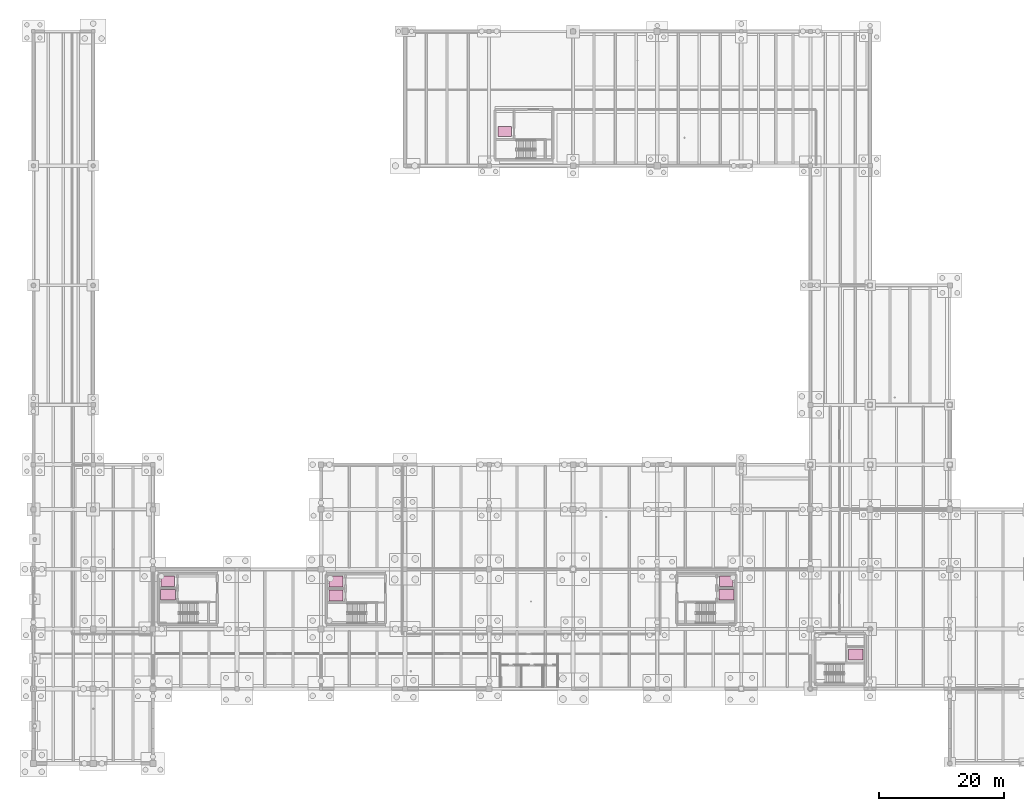
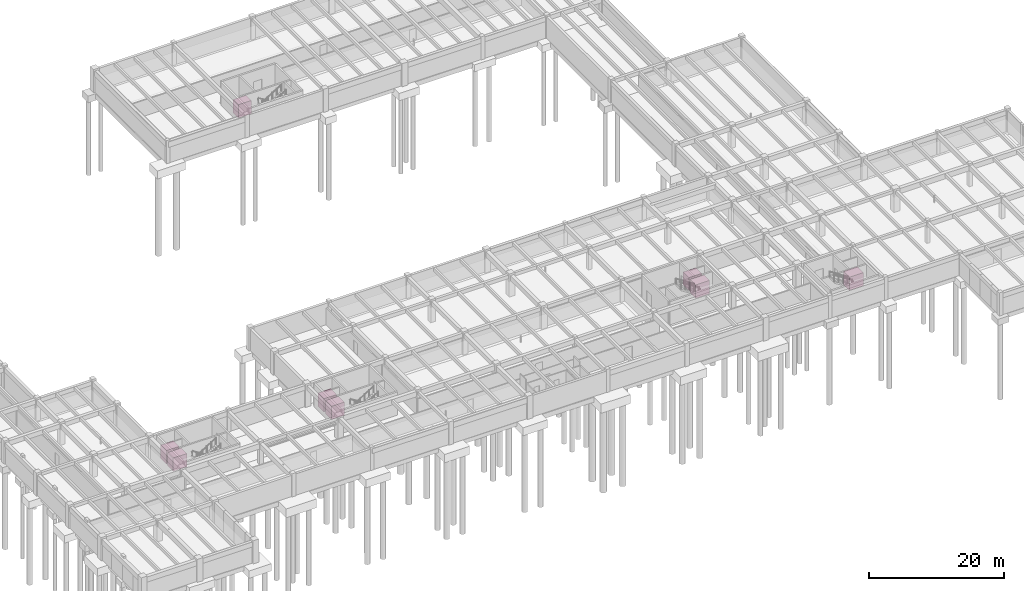
# One storey, part 41 of 41: 8 transport elements.
"""IFC4 building model written with IfcOpenShell, lengths in metres."""

from ifc_helpers import new_model, si_unit, direction, frame, origin, origin_2d, place, context, subcontext, project, spatial, rectangle, extrude, material, type_object, element, save


model = new_model("IFC4")

# Units and contexts
model_context = context("Model", 3, precision=1e-05, world=origin(), true_north=direction((0.0, 1.0)))
body_context = subcontext(model_context, "Body", "Model", "MODEL_VIEW")
ifc_project = project(units=[si_unit("LENGTHUNIT", "METRE"), si_unit("AREAUNIT", "SQUARE_METRE"), si_unit("VOLUMEUNIT", "CUBIC_METRE"), si_unit("PLANEANGLEUNIT", "RADIAN"), si_unit("MASSUNIT", "GRAM", prefix="KILO")], contexts=[model_context])

# Site, building, storey
site_placement = place(None, origin())
site = spatial("IfcSite", under=ifc_project, at=site_placement, CompositionType="ELEMENT")
building_placement = place(site_placement, origin())
building = spatial("IfcBuilding", under=site, at=building_placement, Name="Fikremerkos Civic Library", CompositionType="ELEMENT")
storey_placement = place(building_placement, frame((0.0, 0.0, -8.39990234375)))
storey = spatial("IfcBuildingStorey", under=building, at=storey_placement, Name="B02", CompositionType="ELEMENT", Elevation=-8.39990234375)

# Transport elements
ifc_material = material(Name="Brushed stainless steel", Category="steel")
transport_element_type_1 = type_object("IfcTransportElementType", Name="Atrium passenger lift car LFT-PAX2", PredefinedType="ELEVATOR", material=ifc_material)
for number, where, z_axis, x_axis, name in (
    (1, (48.60009765625, 26.97998046875, 0.0), (0.0, 0.0, 1.0), (1.0, 0.0, 0.0), "Public atrium passenger lift LF05"),
    (2, (48.60009765625, 29.25, 0.0), (0.0, 0.0, 1.0), (1.0, 0.0, 0.0), "Public atrium passenger lift LF06"),
):
    element("IfcTransportElement", number, at=place(storey_placement, frame(where, z_axis=z_axis, x_axis=x_axis)), inside=storey, type_object=transport_element_type_1, Name=name, PredefinedType="ELEVATOR", context=body_context, shape_type="SweptSolid", body=[
        extrude(rectangle(XDim=2.199951171875, YDim=1.75, at=origin_2d()), origin(), (0.0, 0.0, 1.0), 2.39990234375),
    ])
transport_element_type_2 = type_object("IfcTransportElementType", Name="Auditorium passenger lift car LFT-SRV", PredefinedType="ELEVATOR", material=ifc_material)
transport_element_1_placement = place(storey_placement, frame((132.10009765625, 17.47998046875, 0.0), z_axis=(0.0, 0.0, 1.0), x_axis=(1.0, 0.0, 0.0)))
element("IfcTransportElement", 3, at=transport_element_1_placement, inside=storey, type_object=transport_element_type_2, Name="Auditorium and exhibition lift LF07", PredefinedType="ELEVATOR", context=body_context, shape_type="SweptSolid", body=[
    extrude(rectangle(XDim=2.39990234375, YDim=1.800048828125, at=origin_2d()), origin(), (0.0, 0.0, 1.0), 2.39990234375),
])
transport_element_type_3 = type_object("IfcTransportElementType", Name="Children's pavilion book lift car LFT-BOK", PredefinedType="ELEVATOR", material=ifc_material)
transport_element_2_placement = place(storey_placement, frame((75.699951171875, 101.47998046875, 0.0), z_axis=(0.0, 0.0, 1.0), x_axis=(1.0, 0.0, 0.0)))
element("IfcTransportElement", 4, at=transport_element_2_placement, inside=storey, type_object=transport_element_type_3, Name="Children's pavilion and book lift LF08", PredefinedType="ELEVATOR", context=body_context, shape_type="SweptSolid", body=[
    extrude(rectangle(XDim=2.199951171875, YDim=1.60009765625, at=origin_2d()), origin(), (0.0, 0.0, 1.0), 2.39990234375),
])
transport_element_type_4 = type_object("IfcTransportElementType", Name="Firefighting stretcher lift car LFT-FF", PredefinedType="ELEVATOR", material=ifc_material)
for number, where, z_axis, x_axis, name in (
    (5, (21.60009765625, 27.080078125, 0.0), (0.0, 0.0, 1.0), (1.0, 0.0, 0.0), "Firefighting and stretcher lift LF01"),
    (6, (111.300048828125, 27.080078125, 0.0), (0.0, 0.0, 1.0), (1.0, 0.0, 0.0), "Firefighting and stretcher lift LF03"),
):
    element("IfcTransportElement", number, at=place(storey_placement, frame(where, z_axis=z_axis, x_axis=x_axis)), inside=storey, type_object=transport_element_type_4, Name=name, PredefinedType="ELEVATOR", context=body_context, shape_type="SweptSolid", body=[
        extrude(rectangle(XDim=2.39990234375, YDim=1.64990234375, at=origin_2d()), origin(), (0.0, 0.0, 1.0), 2.39990234375),
    ])
transport_element_type_5 = type_object("IfcTransportElementType", Name="Public passenger lift car LFT-PAX", PredefinedType="ELEVATOR", material=ifc_material)
for number, where, z_axis, x_axis, name in (
    (7, (21.60009765625, 29.280029296875, 0.0), (0.0, 0.0, 1.0), (1.0, 0.0, 0.0), "Passenger lift LF02"),
    (8, (111.300048828125, 29.280029296875, 0.0), (0.0, 0.0, 1.0), (1.0, 0.0, 0.0), "Passenger lift LF04"),
):
    element("IfcTransportElement", number, at=place(storey_placement, frame(where, z_axis=z_axis, x_axis=x_axis)), inside=storey, type_object=transport_element_type_5, Name=name, PredefinedType="ELEVATOR", context=body_context, shape_type="SweptSolid", body=[
        extrude(rectangle(XDim=2.199951171875, YDim=1.699951171875, at=origin_2d()), origin(), (0.0, 0.0, 1.0), 2.39990234375),
    ])

save(model, "model.ifc")
